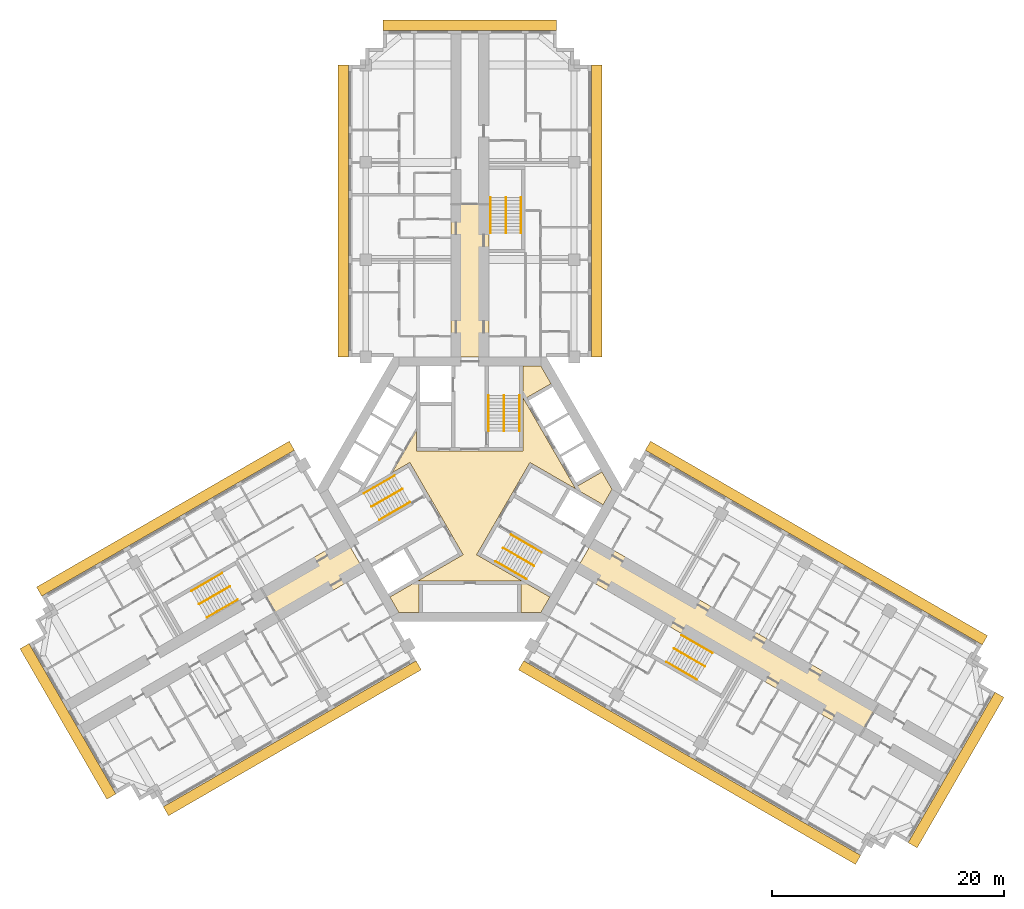
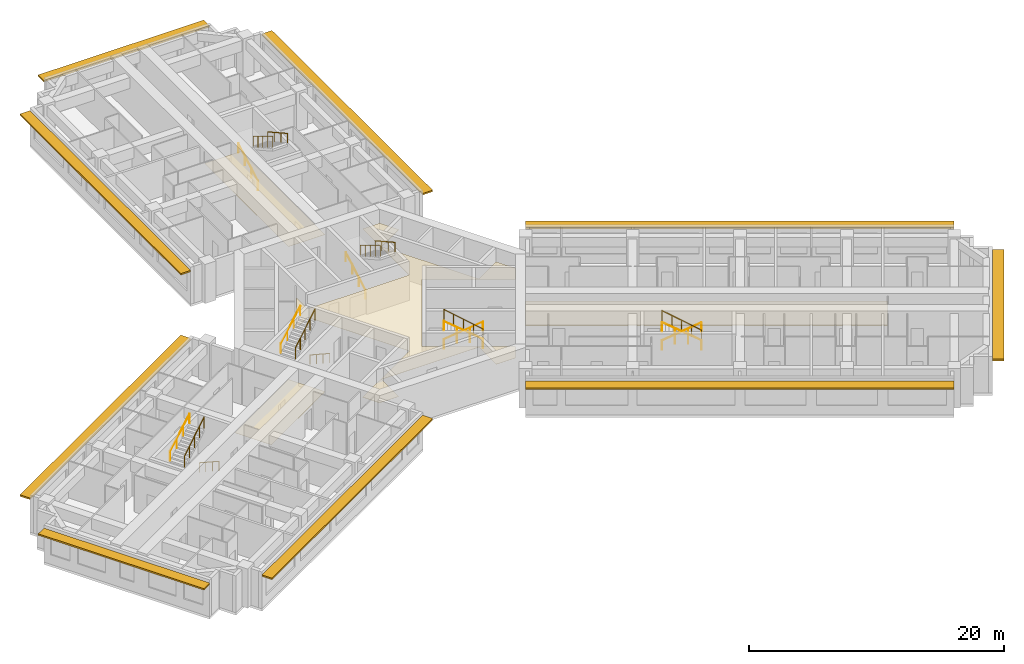
# One storey, part 13 of 13: 18 railings, 4 coverings, 3 shading devices.
"""IFC4 building model written with IfcOpenShell, lengths in metres."""

import ifcopenshell
import ifcopenshell.guid

model = None  # the IFC model being written
_history = None  # IfcOwnerHistory: only IFC2X3 demands one
_inside = {}  # id of a spatial element -> (the spatial element, [elements in it])
_under = {}  # id of a project, library or spatial element -> (it, [spatial elements below it])
_declared = {}  # id of a project -> (the project, [libraries it declares])
_typed = {}  # id of a type object -> (the type object, [elements of that type])
_made_of = {}  # id of a material, layer set ... -> (it, [elements and type objects made of it])


def new_model(schema):
    """Start an empty IFC model of exactly this schema.

    Asked for "IFC4X3", IfcOpenShell would pick the latest addendum, in which some entities
    have other attributes; the version numbers below select the first issue.
    IFC2X3 requires an IfcOwnerHistory on every rooted entity: one is made here for all.
    """
    global model, _history
    if schema == "IFC4X3":
        model = ifcopenshell.file(schema_version=(4, 3, 0, 0))
    else:
        model = ifcopenshell.file(schema=schema)
    _inside.clear()
    _under.clear()
    _declared.clear()
    _typed.clear()
    _made_of.clear()
    _history = None
    if model.schema == "IFC2X3":
        org = make("IfcOrganization", Name="unknown")
        user = make(
            "IfcPersonAndOrganization",
            ThePerson=make("IfcPerson", FamilyName="unknown"),
            TheOrganization=org,
        )
        app = make(
            "IfcApplication",
            ApplicationDeveloper=org,
            Version="unknown",
            ApplicationFullName="unknown",
            ApplicationIdentifier="unknown",
        )
        _history = make(
            "IfcOwnerHistory",
            OwningUser=user,
            OwningApplication=app,
            ChangeAction="ADDED",
            CreationDate=0,
        )
    return model


def make(cls, **values):
    """One entity of the class cls with the attributes given. An attribute that is None is left unset."""
    return model.create_entity(
        cls, **{name: value for name, value in values.items() if value is not None}
    )


def rooted(cls, **values):
    """An entity with a GlobalId (a new one), such as an element, a storey or a relation."""
    return make(cls, GlobalId=ifcopenshell.guid.new(), OwnerHistory=_history, **values)


def si_unit(unit_type, name, prefix=None):
    """IfcSIUnit, for example si_unit("LENGTHUNIT", "METRE", prefix="MILLI")."""
    return make("IfcSIUnit", UnitType=unit_type, Prefix=prefix, Name=name)


def assignment(units):
    """IfcUnitAssignment: the units of a project."""
    return None if units is None else make("IfcUnitAssignment", Units=units)


def point(xyz):
    """IfcCartesianPoint."""
    return None if xyz is None else make("IfcCartesianPoint", Coordinates=xyz)


def direction(xyz):
    """IfcDirection."""
    return None if xyz is None else make("IfcDirection", DirectionRatios=xyz)


def frame(location, z_axis=None, x_axis=None):
    """IfcAxis2Placement3D, a coordinate frame: its origin and axes. An axis left out is left unset."""
    return make(
        "IfcAxis2Placement3D",
        Location=point(location),
        Axis=direction(z_axis),
        RefDirection=direction(x_axis),
    )


def frame_2d(location, x_axis=None):
    """IfcAxis2Placement2D, a coordinate frame in the plane: its origin and x axis."""
    return make(
        "IfcAxis2Placement2D", Location=point(location), RefDirection=direction(x_axis)
    )


def origin():
    """The frame at (0, 0, 0) with its axes left unset."""
    return frame((0.0, 0.0, 0.0))


def origin_2d():
    """The frame at (0, 0) in the plane with its x axis left unset."""
    return frame_2d((0.0, 0.0))


def place(relative_to, where):
    """IfcLocalPlacement: puts the frame where relative to a parent placement (None: the world)."""
    return make(
        "IfcLocalPlacement", PlacementRelTo=relative_to, RelativePlacement=where
    )


def context(
    kind, dimensions, precision=None, world=None, true_north=None, identifier=None
):
    """IfcGeometricRepresentationContext, for example the 3D "Model" context."""
    return make(
        "IfcGeometricRepresentationContext",
        ContextIdentifier=identifier,
        ContextType=kind,
        CoordinateSpaceDimension=dimensions,
        Precision=precision,
        WorldCoordinateSystem=world,
        TrueNorth=true_north,
    )


def subcontext(parent, identifier, kind, view, scale=None):
    """IfcGeometricRepresentationSubContext, for example "Body" below "Model"."""
    return make(
        "IfcGeometricRepresentationSubContext",
        ContextIdentifier=identifier,
        ContextType=kind,
        ParentContext=parent,
        TargetScale=scale,
        TargetView=view,
    )


def project(units=None, contexts=None):
    """IfcProject with its units and contexts."""
    return rooted(
        "IfcProject",
        Name="project",
        RepresentationContexts=contexts,
        UnitsInContext=assignment(units),
    )


def spatial(cls, under=None, at=None, **own):
    """A site, building, storey or space (cls), placed at a placement, below another one or the project."""
    s = rooted(cls, ObjectPlacement=at, **own)
    if under is not None:
        _under.setdefault(under.id(), (under, []))[1].append(s)
    return s


def polyline(points):
    """IfcPolyline through the points."""
    return make("IfcPolyline", Points=[point(p) for p in points])


def profile(cls, at=None, kind="AREA", **sizes):
    """A parametric profile (cls). Its sizes go by their IFC names, for example OverallWidth=200.0."""
    return make(cls, ProfileType=kind, Position=at, **sizes)


def rectangle(**sizes):
    """IfcRectangleProfileDef."""
    return profile("IfcRectangleProfileDef", **sizes)


def circle(**sizes):
    """IfcCircleProfileDef."""
    return profile("IfcCircleProfileDef", **sizes)


def outline(outer, holes=None, kind="AREA"):
    """IfcArbitraryClosedProfileDef: a profile drawn as a closed curve; with holes, ...WithVoids."""
    if holes is None:
        return make("IfcArbitraryClosedProfileDef", ProfileType=kind, OuterCurve=outer)
    return make(
        "IfcArbitraryProfileDefWithVoids",
        ProfileType=kind,
        OuterCurve=outer,
        InnerCurves=holes,
    )


def extrude(swept, where, along, depth):
    """IfcExtrudedAreaSolid: the profile swept, set in the frame where, extruded along a direction by depth."""
    return make(
        "IfcExtrudedAreaSolid",
        SweptArea=swept,
        Position=where,
        ExtrudedDirection=direction(along),
        Depth=depth,
    )


def shape(context_of_items, identifier, shape_type, items):
    """IfcShapeRepresentation: the items that make up one representation, for example the "Body"."""
    return make(
        "IfcShapeRepresentation",
        ContextOfItems=context_of_items,
        RepresentationIdentifier=identifier,
        RepresentationType=shape_type,
        Items=items,
    )


def material(Name=None, Category=None):
    """IfcMaterial."""
    return make("IfcMaterial", Name=Name, Category=Category)


def layer(
    of_material, thickness, ventilated=None, Name=None, Category=None, Priority=None
):
    """IfcMaterialLayer: one layer of a wall or slab, of a material (None: an air gap)."""
    return make(
        "IfcMaterialLayer",
        Material=of_material,
        LayerThickness=thickness,
        IsVentilated=ventilated,
        Name=Name,
        Category=Category,
        Priority=Priority,
    )


def layer_set(layers, Name=None):
    """IfcMaterialLayerSet."""
    return make("IfcMaterialLayerSet", MaterialLayers=layers, LayerSetName=Name)


def made_of(thing, what):
    """Note that an element or type object is made of a material, layer set ...; save() writes the relation."""
    if what is not None:
        _made_of.setdefault(what.id(), (what, []))[1].append(thing)
    return thing


def type_object(cls, material=None, **own):
    """A type object (cls), such as IfcWallType, which elements share."""
    return made_of(rooted(cls, **own), material)


def element(
    cls,
    number,
    at=None,
    inside=None,
    cuts=None,
    type_object=None,
    material=None,
    context=None,
    identifier="Body",
    shape_type=None,
    held_by="IfcProductDefinitionShape",
    body=None,
    shapes=None,
    **own,
):
    """One element of the class cls, such as IfcWall. Its Tag is "e" and its number.

    at: its placement. inside: the storey or other place that contains it. cuts: it is an
    opening in that element (IfcRelVoidsElement). A single representation is given by context,
    identifier, shape_type and body (its items); several are given by shapes. held_by: the class
    of the entity that holds the representations. save() writes the other relations.
    """
    e = rooted(cls, Tag="e%d" % number, ObjectPlacement=at, **own)
    if body is not None:
        shapes = [shape(context, identifier, shape_type, body)]
    if shapes is not None:
        e.Representation = make(held_by, Representations=shapes)
    if inside is not None:
        _inside.setdefault(inside.id(), (inside, []))[1].append(e)
    if cuts is not None:
        rooted(
            "IfcRelVoidsElement", RelatingBuildingElement=cuts, RelatedOpeningElement=e
        )
    if type_object is not None:
        _typed.setdefault(type_object.id(), (type_object, []))[1].append(e)
    return made_of(e, material)


def aggregate(whole, parts):
    """IfcRelAggregates: a whole, such as a stair, and the parts it consists of."""
    return rooted("IfcRelAggregates", RelatingObject=whole, RelatedObjects=parts)


def save(model, path):
    """Write the relations noted so far, then the file.

    IfcRelAggregates (storeys below a building ...), IfcRelContainedInSpatialStructure (elements
    in a storey), IfcRelDefinesByType, IfcRelAssociatesMaterial and IfcRelDeclares: one each for
    every whole, place, type object, material and project.
    """
    for whole, parts in _under.values():
        aggregate(whole, parts)
    for where, things in _inside.values():
        rooted(
            "IfcRelContainedInSpatialStructure",
            RelatedElements=things,
            RelatingStructure=where,
        )
    for kind, things in _typed.values():
        rooted("IfcRelDefinesByType", RelatedObjects=things, RelatingType=kind)
    for what, things in _made_of.values():
        rooted("IfcRelAssociatesMaterial", RelatedObjects=things, RelatingMaterial=what)
    for by, libraries in _declared.values():
        rooted("IfcRelDeclares", RelatingContext=by, RelatedDefinitions=libraries)
    model.write(path)


model = new_model("IFC4")

# Units and contexts
model_context = context("Model", 3, precision=1e-05, world=origin(), true_north=direction((0.0, 1.0)))
body_context = subcontext(model_context, "Body", "Model", "MODEL_VIEW")
ifc_project = project(units=[si_unit("LENGTHUNIT", "METRE"), si_unit("AREAUNIT", "SQUARE_METRE"), si_unit("VOLUMEUNIT", "CUBIC_METRE"), si_unit("PLANEANGLEUNIT", "RADIAN"), si_unit("MASSUNIT", "GRAM", prefix="KILO")], contexts=[model_context])

# Site, building, storey
site_placement = place(None, origin())
site = spatial("IfcSite", under=ifc_project, at=site_placement, CompositionType="ELEMENT")
building_placement = place(site_placement, origin())
building = spatial("IfcBuilding", under=site, at=building_placement, Name="Impinga Residences", CompositionType="ELEMENT")
storey_placement = place(building_placement, frame((0.0, 0.0, 136.0)))
storey = spatial("IfcBuildingStorey", under=building, at=storey_placement, Name="L33", CompositionType="ELEMENT", Elevation=136.0)

# Coverings
ifc_material_1 = material(Name="Plasterboard 15 mm on steel hangers", Category="steel")
ifc_layer_1 = layer(ifc_material_1, 0.014892578125)
ifc_layer_set_1 = layer_set([ifc_layer_1], Name="Plasterboard 15 mm on steel hangers")
covering_type_1 = type_object("IfcCoveringType", Name="CL1 corridor ceiling, 15 mm plasterboard on hangers", PredefinedType="CEILING", material=ifc_layer_set_1)
covering_1_placement = place(storey_placement, frame((0.0, 0.0, 2.39990234375)))
element("IfcCovering", 1, at=covering_1_placement, inside=storey, type_object=covering_type_1, Name="Corridor ceiling CL1 L33-N00", PredefinedType="CEILING", context=body_context, shape_type="SweptSolid", body=[
    extrude(outline(polyline([(-1.64990234375, 11.431640625), (1.64990234375, 11.431640625), (1.64990234375, 24.58154296875), (-1.64990234375, 24.58154296875), (-1.64990234375, 11.431640625)])), origin(), (0.0, 0.0, 1.0), 0.01513671875),
])
covering_2_placement = place(storey_placement, frame((0.0, 0.0, 2.39990234375)))
element("IfcCovering", 2, at=covering_2_placement, inside=storey, type_object=covering_type_1, Name="Corridor ceiling CL1 L33-W00", PredefinedType="CEILING", context=body_context, shape_type="SweptSolid", body=[
    extrude(outline(polyline([(-10.72509765625, -4.286865234375), (-9.074951171875, -7.144775390625), (-16.35009765625, -11.344970703125), (-18.0, -8.487060546875), (-10.72509765625, -4.286865234375)])), origin(), (0.0, 0.0, 1.0), 0.01513671875),
])
covering_3_placement = place(storey_placement, frame((0.0, 0.0, 2.39990234375)))
element("IfcCovering", 3, at=covering_3_placement, inside=storey, type_object=covering_type_1, Name="Corridor ceiling CL1 L33-E00", PredefinedType="CEILING", context=body_context, shape_type="SweptSolid", body=[
    extrude(outline(polyline([(10.72509765625, -4.286865234375), (9.074951171875, -7.144775390625), (33.626708984375, -21.31982421875), (35.27685546875, -18.4619140625), (10.72509765625, -4.286865234375)])), origin(), (0.0, 0.0, 1.0), 0.01513671875),
])
ifc_material_2 = material(Name="Mineral fibre tiles 20 mm on exposed grid", Category="mineral fibre")
ifc_layer_2 = layer(ifc_material_2, 0.02001953125)
ifc_layer_set_2 = layer_set([ifc_layer_2], Name="CL2 lift lobby ceiling, 20 mm mineral fibre tiles")
covering_type_2 = type_object("IfcCoveringType", Name="CL2 lift lobby ceiling, 20 mm mineral fibre tiles", PredefinedType="CEILING", material=ifc_layer_set_2)
covering_4_placement = place(storey_placement, frame((0.0, 0.0, 2.39990234375)))
element("IfcCovering", 4, at=covering_4_placement, inside=storey, type_object=covering_type_2, Name="Lift lobby ceiling CL2 L33-C01", PredefinedType="CEILING", context=body_context, shape_type="SweptSolid", body=[
    extrude(outline(polyline([(5.183837890625, 2.318603515625), (0.583984375, -5.648681640625), (6.9072265625, -9.299560546875), (6.13818359375, -10.631591796875), (4.39990234375, -10.631591796875), (4.39990234375, -7.931640625), (-4.39990234375, -7.931640625), (-4.39990234375, -10.631591796875), (-6.13818359375, -10.631591796875), (-6.9072265625, -9.299560546875), (-0.583984375, -5.648681640625), (-5.183837890625, 2.318603515625), (-6.712890625, 1.435791015625), (-4.60009765625, 5.095703125), (-4.60009765625, 3.330078125), (4.60009765625, 3.330078125), (4.60009765625, 10.631591796875), (6.13818359375, 10.631591796875), (7.007080078125, 9.126220703125), (4.6689453125, 7.7763671875), (9.06884765625, 0.1552734375), (11.4072265625, 1.50537109375), (12.276123046875, 0.0), (11.507080078125, -1.33203125), (5.183837890625, 2.318603515625)])), origin(), (0.0, 0.0, 1.0), 0.02001953125),
])

# Railings
ifc_material_3 = material(Name="Steel guard, powder coated", Category="steel")
railing_type_1 = type_object("IfcRailingType", Name="GR1 stair guard 1100", PredefinedType="GUARDRAIL", material=ifc_material_3)
railing_1_placement = place(storey_placement, frame((2.949951171875, 8.110107421875, 1.875)))
element("IfcRailing", 5, at=railing_1_placement, inside=storey, type_object=railing_type_1, Name="Stair guard GR1 ST1 L33", PredefinedType="GUARDRAIL", context=body_context, shape_type="SweptSolid", body=[
    extrude(circle(Radius=0.02392578125, at=origin_2d()), frame((0.0, 0.0, 1.076171875), z_axis=(0.0, -0.854177636135, 0.519981313056), x_axis=(1.0, 0.0, 0.0)), (0.0, 0.0, 1.0), 3.60595703125),
    extrude(circle(Radius=0.02099609375, at=origin_2d()), origin(), (0.0, 0.0, 1.0), 1.052001953125),
    extrude(circle(Radius=0.02099609375, at=origin_2d()), frame((0.0, -0.77001953125, 0.46875)), (0.0, 0.0, 1.0), 1.052001953125),
    extrude(circle(Radius=0.02099609375, at=origin_2d()), frame((0.0, -1.5400390625, 0.9375)), (0.0, 0.0, 1.0), 1.052001953125),
    extrude(circle(Radius=0.02099609375, at=origin_2d()), frame((0.0, -2.31005859375, 1.40625)), (0.0, 0.0, 1.0), 1.052001953125),
    extrude(circle(Radius=0.02099609375, at=origin_2d()), frame((0.0, -3.080078125, 1.875)), (0.0, 0.0, 1.0), 1.052001953125),
])
railing_2_placement = place(storey_placement, frame((-8.49853515625, -1.500244140625, 1.875)))
element("IfcRailing", 6, at=railing_2_placement, inside=storey, type_object=railing_type_1, Name="Stair guard GR1 ST2 L33", PredefinedType="GUARDRAIL", context=body_context, shape_type="SweptSolid", body=[
    extrude(circle(Radius=0.02392578125, at=origin_2d()), frame((0.0, 0.0, 1.076171875), z_axis=(0.739746383972, 0.427084037168, 0.519975492303), x_axis=(-0.499992328818, 0.866029832698, 0.0)), (0.0, 0.0, 1.0), 3.60595703125),
    extrude(circle(Radius=0.02099609375, at=origin_2d()), origin(), (0.0, 0.0, 1.0), 1.052001953125),
    extrude(circle(Radius=0.02099609375, at=origin_2d()), frame((0.6669921875, 0.385009765625, 0.46875)), (0.0, 0.0, 1.0), 1.052001953125),
    extrude(circle(Radius=0.02099609375, at=origin_2d()), frame((1.333740234375, 0.77001953125, 0.9375)), (0.0, 0.0, 1.0), 1.052001953125),
    extrude(circle(Radius=0.02099609375, at=origin_2d()), frame((2.00048828125, 1.155029296875, 1.40625)), (0.0, 0.0, 1.0), 1.052001953125),
    extrude(circle(Radius=0.02099609375, at=origin_2d()), frame((2.66748046875, 1.5400390625, 1.875)), (0.0, 0.0, 1.0), 1.052001953125),
])
railing_3_placement = place(storey_placement, frame((5.548583984375, -6.60986328125, 1.875)))
element("IfcRailing", 7, at=railing_3_placement, inside=storey, type_object=railing_type_1, Name="Stair guard GR1 ST3 L33", PredefinedType="GUARDRAIL", context=body_context, shape_type="SweptSolid", body=[
    extrude(circle(Radius=0.02392578125, at=origin_2d()), frame((0.0, 0.0, 1.076171875), z_axis=(-0.739746383972, 0.427084037168, 0.519975492303), x_axis=(-0.499992328818, -0.866029832698, 0.0)), (0.0, 0.0, 1.0), 3.60595703125),
    extrude(circle(Radius=0.02099609375, at=origin_2d()), origin(), (0.0, 0.0, 1.0), 1.052001953125),
    extrude(circle(Radius=0.02099609375, at=origin_2d()), frame((-0.6669921875, 0.385009765625, 0.46875)), (0.0, 0.0, 1.0), 1.052001953125),
    extrude(circle(Radius=0.02099609375, at=origin_2d()), frame((-1.333740234375, 0.77001953125, 0.9375)), (0.0, 0.0, 1.0), 1.052001953125),
    extrude(circle(Radius=0.02099609375, at=origin_2d()), frame((-2.00048828125, 1.155029296875, 1.40625)), (0.0, 0.0, 1.0), 1.052001953125),
    extrude(circle(Radius=0.02099609375, at=origin_2d()), frame((-2.66748046875, 1.5400390625, 1.875)), (0.0, 0.0, 1.0), 1.052001953125),
])
railing_4_placement = place(storey_placement, frame((3.10009765625, 25.21142578125, 1.875)))
element("IfcRailing", 8, at=railing_4_placement, inside=storey, type_object=railing_type_1, Name="Stair guard GR1 WS1 L33", PredefinedType="GUARDRAIL", context=body_context, shape_type="SweptSolid", body=[
    extrude(circle(Radius=0.02392578125, at=origin_2d()), frame((0.0, 0.0, 1.076171875), z_axis=(0.0, -0.854159328187, 0.520011386482), x_axis=(1.0, 0.0, 0.0)), (0.0, 0.0, 1.0), 3.605712890625),
    extrude(circle(Radius=0.02099609375, at=origin_2d()), origin(), (0.0, 0.0, 1.0), 1.052001953125),
    extrude(circle(Radius=0.02099609375, at=origin_2d()), frame((0.0, -0.77001953125, 0.46875)), (0.0, 0.0, 1.0), 1.052001953125),
    extrude(circle(Radius=0.02099609375, at=origin_2d()), frame((0.0, -1.5400390625, 0.9375)), (0.0, 0.0, 1.0), 1.052001953125),
    extrude(circle(Radius=0.02099609375, at=origin_2d()), frame((0.0, -2.309814453125, 1.40625)), (0.0, 0.0, 1.0), 1.052001953125),
    extrude(circle(Radius=0.02099609375, at=origin_2d()), frame((0.0, -3.079833984375, 1.875)), (0.0, 0.0, 1.0), 1.052001953125),
])
railing_5_placement = place(storey_placement, frame((-23.3837890625, -9.921142578125, 1.875)))
element("IfcRailing", 9, at=railing_5_placement, inside=storey, type_object=railing_type_1, Name="Stair guard GR1 WS2 L33", PredefinedType="GUARDRAIL", context=body_context, shape_type="SweptSolid", body=[
    extrude(circle(Radius=0.02392578125, at=origin_2d()), frame((0.0, 0.0, 1.076171875), z_axis=(0.739715726454, 0.427105428144, 0.52000153585), x_axis=(-0.500026652407, 0.866010015463, 0.0)), (0.0, 0.0, 1.0), 3.605712890625),
    extrude(circle(Radius=0.02099609375, at=origin_2d()), origin(), (0.0, 0.0, 1.0), 1.052001953125),
    extrude(circle(Radius=0.02099609375, at=origin_2d()), frame((0.666748046875, 0.385009765625, 0.46875)), (0.0, 0.0, 1.0), 1.052001953125),
    extrude(circle(Radius=0.02099609375, at=origin_2d()), frame((1.33349609375, 0.77001953125, 0.9375)), (0.0, 0.0, 1.0), 1.052001953125),
    extrude(circle(Radius=0.02099609375, at=origin_2d()), frame((2.00048828125, 1.155029296875, 1.40625)), (0.0, 0.0, 1.0), 1.052001953125),
    extrude(circle(Radius=0.02099609375, at=origin_2d()), frame((2.667236328125, 1.5400390625, 1.875)), (0.0, 0.0, 1.0), 1.052001953125),
])
railing_6_placement = place(storey_placement, frame((20.283935546875, -15.29052734375, 1.875)))
element("IfcRailing", 10, at=railing_6_placement, inside=storey, type_object=railing_type_1, Name="Stair guard GR1 WS3 L33", PredefinedType="GUARDRAIL", context=body_context, shape_type="SweptSolid", body=[
    extrude(circle(Radius=0.02392578125, at=origin_2d()), frame((0.0, 0.0, 1.076171875), z_axis=(-0.739746383972, 0.427084037168, 0.519975492303), x_axis=(-0.499992328818, -0.866029832698, 0.0)), (0.0, 0.0, 1.0), 3.60595703125),
    extrude(circle(Radius=0.02099609375, at=origin_2d()), origin(), (0.0, 0.0, 1.0), 1.052001953125),
    extrude(circle(Radius=0.02099609375, at=origin_2d()), frame((-0.6669921875, 0.385009765625, 0.46875)), (0.0, 0.0, 1.0), 1.052001953125),
    extrude(circle(Radius=0.02099609375, at=origin_2d()), frame((-1.333740234375, 0.77001953125, 0.9375)), (0.0, 0.0, 1.0), 1.052001953125),
    extrude(circle(Radius=0.02099609375, at=origin_2d()), frame((-2.00048828125, 1.155029296875, 1.40625)), (0.0, 0.0, 1.0), 1.052001953125),
    extrude(circle(Radius=0.02099609375, at=origin_2d()), frame((-2.66748046875, 1.5400390625, 1.875)), (0.0, 0.0, 1.0), 1.052001953125),
])
ifc_material_4 = material(Name="Steel handrail tube 42 mm, powder coated", Category="steel")
railing_type_2 = type_object("IfcRailingType", Name="HR1 stair handrail, 42 mm steel tube, 900 above the pitch line", PredefinedType="HANDRAIL", material=ifc_material_4)
railing_7_placement = place(storey_placement, frame((1.62109375, 5.030029296875, 0.15625)))
element("IfcRailing", 11, at=railing_7_placement, inside=storey, type_object=railing_type_2, Name="Stair handrail HR1 ST1 L33", PredefinedType="HANDRAIL", context=body_context, shape_type="SweptSolid", body=[
    extrude(circle(Radius=0.02099609375, at=origin_2d()), frame((0.0, 0.0, 0.87890625), z_axis=(0.0, 0.873241540666, 0.487287606713), x_axis=(-1.0, 0.0, 0.0)), (0.0, 0.0, 1.0), 3.527099609375),
    extrude(circle(Radius=0.012451171875, at=origin_2d()), origin(), (0.0, 0.0, 1.0), 0.85791015625),
    extrude(circle(Radius=0.012451171875, at=origin_2d()), frame((0.0, 1.026611328125, 0.572998046875)), (0.0, 0.0, 1.0), 0.85791015625),
    extrude(circle(Radius=0.012451171875, at=origin_2d()), frame((0.0, 2.053466796875, 1.145751953125)), (0.0, 0.0, 1.0), 0.85791015625),
    extrude(circle(Radius=0.012451171875, at=origin_2d()), frame((0.0, 3.080078125, 1.71875)), (0.0, 0.0, 1.0), 0.85791015625),
])
railing_8_placement = place(storey_placement, frame((4.279052734375, 8.110107421875, 2.03125)))
element("IfcRailing", 12, at=railing_8_placement, inside=storey, type_object=railing_type_2, Name="Stair handrail HR1 ST1 L33", PredefinedType="HANDRAIL", context=body_context, shape_type="SweptSolid", body=[
    extrude(circle(Radius=0.02099609375, at=origin_2d()), frame((0.0, 0.0, 0.87890625), z_axis=(0.0, -0.873241540666, 0.487287606713), x_axis=(1.0, 0.0, 0.0)), (0.0, 0.0, 1.0), 3.527099609375),
    extrude(circle(Radius=0.012451171875, at=origin_2d()), origin(), (0.0, 0.0, 1.0), 0.85791015625),
    extrude(circle(Radius=0.012451171875, at=origin_2d()), frame((0.0, -1.026611328125, 0.572998046875)), (0.0, 0.0, 1.0), 0.85791015625),
    extrude(circle(Radius=0.012451171875, at=origin_2d()), frame((0.0, -2.053466796875, 1.145751953125)), (0.0, 0.0, 1.0), 0.85791015625),
    extrude(circle(Radius=0.012451171875, at=origin_2d()), frame((0.0, -3.080078125, 1.71875)), (0.0, 0.0, 1.0), 0.85791015625),
])
railing_9_placement = place(storey_placement, frame((-5.16650390625, -1.111083984375, 0.15625)))
element("IfcRailing", 13, at=railing_9_placement, inside=storey, type_object=railing_type_2, Name="Stair handrail HR1 ST2 L33", PredefinedType="HANDRAIL", context=body_context, shape_type="SweptSolid", body=[
    extrude(circle(Radius=0.02099609375, at=origin_2d()), frame((0.0, 0.0, 0.87890625), z_axis=(-0.756255980417, -0.436615662133, 0.487281905742), x_axis=(0.499992328818, -0.866029832698, 0.0)), (0.0, 0.0, 1.0), 3.527099609375),
    extrude(circle(Radius=0.012451171875, at=origin_2d()), origin(), (0.0, 0.0, 1.0), 0.85791015625),
    extrude(circle(Radius=0.012451171875, at=origin_2d()), frame((-0.88916015625, -0.513427734375, 0.572998046875)), (0.0, 0.0, 1.0), 0.85791015625),
    extrude(circle(Radius=0.012451171875, at=origin_2d()), frame((-1.7783203125, -1.026611328125, 1.145751953125)), (0.0, 0.0, 1.0), 0.85791015625),
    extrude(circle(Radius=0.012451171875, at=origin_2d()), frame((-2.66748046875, -1.5400390625, 1.71875)), (0.0, 0.0, 1.0), 0.85791015625),
])
railing_10_placement = place(storey_placement, frame((-9.1630859375, -0.349365234375, 2.03125)))
element("IfcRailing", 14, at=railing_10_placement, inside=storey, type_object=railing_type_2, Name="Stair handrail HR1 ST2 L33", PredefinedType="HANDRAIL", context=body_context, shape_type="SweptSolid", body=[
    extrude(circle(Radius=0.02099609375, at=origin_2d()), frame((0.0, 0.0, 0.87890625), z_axis=(0.756255980417, 0.436615662133, 0.487281905742), x_axis=(-0.499992328818, 0.866029832698, 0.0)), (0.0, 0.0, 1.0), 3.527099609375),
    extrude(circle(Radius=0.012451171875, at=origin_2d()), origin(), (0.0, 0.0, 1.0), 0.85791015625),
    extrude(circle(Radius=0.012451171875, at=origin_2d()), frame((0.88916015625, 0.513427734375, 0.572998046875)), (0.0, 0.0, 1.0), 0.85791015625),
    extrude(circle(Radius=0.012451171875, at=origin_2d()), frame((1.7783203125, 1.026611328125, 1.145751953125)), (0.0, 0.0, 1.0), 0.85791015625),
    extrude(circle(Radius=0.012451171875, at=origin_2d()), frame((2.66748046875, 1.5400390625, 1.71875)), (0.0, 0.0, 1.0), 0.85791015625),
])
railing_11_placement = place(storey_placement, frame((3.545654296875, -3.9189453125, 0.15625)))
element("IfcRailing", 15, at=railing_11_placement, inside=storey, type_object=railing_type_2, Name="Stair handrail HR1 ST3 L33", PredefinedType="HANDRAIL", context=body_context, shape_type="SweptSolid", body=[
    extrude(circle(Radius=0.02099609375, at=origin_2d()), frame((0.0, 0.0, 0.87890625), z_axis=(0.756249203677, -0.436582492228, 0.487322141317), x_axis=(0.499967199496, 0.866044340336, 0.0)), (0.0, 0.0, 1.0), 3.52685546875),
    extrude(circle(Radius=0.012451171875, at=origin_2d()), origin(), (0.0, 0.0, 1.0), 0.85791015625),
    extrude(circle(Radius=0.012451171875, at=origin_2d()), frame((0.88916015625, -0.51318359375, 0.572998046875)), (0.0, 0.0, 1.0), 0.85791015625),
    extrude(circle(Radius=0.012451171875, at=origin_2d()), frame((1.778076171875, -1.026611328125, 1.145751953125)), (0.0, 0.0, 1.0), 0.85791015625),
    extrude(circle(Radius=0.012451171875, at=origin_2d()), frame((2.667236328125, -1.539794921875, 1.71875)), (0.0, 0.0, 1.0), 0.85791015625),
])
railing_12_placement = place(storey_placement, frame((4.884033203125, -7.7607421875, 2.03125)))
element("IfcRailing", 16, at=railing_12_placement, inside=storey, type_object=railing_type_2, Name="Stair handrail HR1 ST3 L33", PredefinedType="HANDRAIL", context=body_context, shape_type="SweptSolid", body=[
    extrude(circle(Radius=0.02099609375, at=origin_2d()), frame((0.0, 0.0, 0.87890625), z_axis=(-0.756255980417, 0.436615662133, 0.487281905742), x_axis=(-0.499992328818, -0.866029832698, 0.0)), (0.0, 0.0, 1.0), 3.527099609375),
    extrude(circle(Radius=0.012451171875, at=origin_2d()), origin(), (0.0, 0.0, 1.0), 0.85791015625),
    extrude(circle(Radius=0.012451171875, at=origin_2d()), frame((-0.88916015625, 0.513427734375, 0.572998046875)), (0.0, 0.0, 1.0), 0.85791015625),
    extrude(circle(Radius=0.012451171875, at=origin_2d()), frame((-1.7783203125, 1.026611328125, 1.145751953125)), (0.0, 0.0, 1.0), 0.85791015625),
    extrude(circle(Radius=0.012451171875, at=origin_2d()), frame((-2.66748046875, 1.5400390625, 1.71875)), (0.0, 0.0, 1.0), 0.85791015625),
])
railing_13_placement = place(storey_placement, frame((1.77099609375, 22.131591796875, 0.15625)))
element("IfcRailing", 17, at=railing_13_placement, inside=storey, type_object=railing_type_2, Name="Stair handrail HR1 WS1 L33", PredefinedType="HANDRAIL", context=body_context, shape_type="SweptSolid", body=[
    extrude(circle(Radius=0.02099609375, at=origin_2d()), frame((0.0, 0.0, 0.87890625), z_axis=(0.0, 0.873225103656, 0.487317061414), x_axis=(-1.0, 0.0, 0.0)), (0.0, 0.0, 1.0), 3.52685546875),
    extrude(circle(Radius=0.012451171875, at=origin_2d()), origin(), (0.0, 0.0, 1.0), 0.85791015625),
    extrude(circle(Radius=0.012451171875, at=origin_2d()), frame((0.0, 1.026611328125, 0.572998046875)), (0.0, 0.0, 1.0), 0.85791015625),
    extrude(circle(Radius=0.012451171875, at=origin_2d()), frame((0.0, 2.05322265625, 1.145751953125)), (0.0, 0.0, 1.0), 0.85791015625),
    extrude(circle(Radius=0.012451171875, at=origin_2d()), frame((0.0, 3.079833984375, 1.71875)), (0.0, 0.0, 1.0), 0.85791015625),
])
railing_14_placement = place(storey_placement, frame((4.428955078125, 25.21142578125, 2.03125)))
element("IfcRailing", 18, at=railing_14_placement, inside=storey, type_object=railing_type_2, Name="Stair handrail HR1 WS1 L33", PredefinedType="HANDRAIL", context=body_context, shape_type="SweptSolid", body=[
    extrude(circle(Radius=0.02099609375, at=origin_2d()), frame((0.0, 0.0, 0.87890625), z_axis=(0.0, -0.873225103656, 0.487317061414), x_axis=(1.0, 0.0, 0.0)), (0.0, 0.0, 1.0), 3.52685546875),
    extrude(circle(Radius=0.012451171875, at=origin_2d()), origin(), (0.0, 0.0, 1.0), 0.85791015625),
    extrude(circle(Radius=0.012451171875, at=origin_2d()), frame((0.0, -1.026611328125, 0.572998046875)), (0.0, 0.0, 1.0), 0.85791015625),
    extrude(circle(Radius=0.012451171875, at=origin_2d()), frame((0.0, -2.05322265625, 1.145751953125)), (0.0, 0.0, 1.0), 0.85791015625),
    extrude(circle(Radius=0.012451171875, at=origin_2d()), frame((0.0, -3.079833984375, 1.71875)), (0.0, 0.0, 1.0), 0.85791015625),
])
railing_15_placement = place(storey_placement, frame((-20.052001953125, -9.531982421875, 0.15625)))
element("IfcRailing", 19, at=railing_15_placement, inside=storey, type_object=railing_type_2, Name="Stair handrail HR1 WS2 L33", PredefinedType="HANDRAIL", context=body_context, shape_type="SweptSolid", body=[
    extrude(circle(Radius=0.02099609375, at=origin_2d()), frame((0.0, 0.0, 0.87890625), z_axis=(-0.756226348243, -0.436638517594, 0.487307413422), x_axis=(0.500026652407, -0.866010015463, 0.0)), (0.0, 0.0, 1.0), 3.527099609375),
    extrude(circle(Radius=0.012451171875, at=origin_2d()), origin(), (0.0, 0.0, 1.0), 0.85791015625),
    extrude(circle(Radius=0.012451171875, at=origin_2d()), frame((-0.88916015625, -0.513427734375, 0.572998046875)), (0.0, 0.0, 1.0), 0.85791015625),
    extrude(circle(Radius=0.012451171875, at=origin_2d()), frame((-1.778076171875, -1.026611328125, 1.145751953125)), (0.0, 0.0, 1.0), 0.85791015625),
    extrude(circle(Radius=0.012451171875, at=origin_2d()), frame((-2.667236328125, -1.5400390625, 1.71875)), (0.0, 0.0, 1.0), 0.85791015625),
])
railing_16_placement = place(storey_placement, frame((-24.04833984375, -8.77001953125, 2.03125)))
element("IfcRailing", 20, at=railing_16_placement, inside=storey, type_object=railing_type_2, Name="Stair handrail HR1 WS2 L33", PredefinedType="HANDRAIL", context=body_context, shape_type="SweptSolid", body=[
    extrude(circle(Radius=0.02099609375, at=origin_2d()), frame((0.0, 0.0, 0.87890625), z_axis=(0.756278834354, 0.436559638319, 0.487296631324), x_axis=(-0.499932877268, 0.866064153644, 0.0)), (0.0, 0.0, 1.0), 3.527099609375),
    extrude(circle(Radius=0.012451171875, at=origin_2d()), origin(), (0.0, 0.0, 1.0), 0.85791015625),
    extrude(circle(Radius=0.012451171875, at=origin_2d()), frame((0.88916015625, 0.51318359375, 0.572998046875)), (0.0, 0.0, 1.0), 0.85791015625),
    extrude(circle(Radius=0.012451171875, at=origin_2d()), frame((1.7783203125, 1.026611328125, 1.145751953125)), (0.0, 0.0, 1.0), 0.85791015625),
    extrude(circle(Radius=0.012451171875, at=origin_2d()), frame((2.66748046875, 1.539794921875, 1.71875)), (0.0, 0.0, 1.0), 0.85791015625),
])
railing_17_placement = place(storey_placement, frame((18.281005859375, -12.599609375, 0.15625)))
element("IfcRailing", 21, at=railing_17_placement, inside=storey, type_object=railing_type_2, Name="Stair handrail HR1 WS3 L33", PredefinedType="HANDRAIL", context=body_context, shape_type="SweptSolid", body=[
    extrude(circle(Radius=0.02099609375, at=origin_2d()), frame((0.0, 0.0, 0.87890625), z_axis=(0.756249203677, -0.436582492228, 0.487322141317), x_axis=(0.499967199496, 0.866044340336, 0.0)), (0.0, 0.0, 1.0), 3.52685546875),
    extrude(circle(Radius=0.012451171875, at=origin_2d()), origin(), (0.0, 0.0, 1.0), 0.85791015625),
    extrude(circle(Radius=0.012451171875, at=origin_2d()), frame((0.88916015625, -0.51318359375, 0.572998046875)), (0.0, 0.0, 1.0), 0.85791015625),
    extrude(circle(Radius=0.012451171875, at=origin_2d()), frame((1.778076171875, -1.026611328125, 1.145751953125)), (0.0, 0.0, 1.0), 0.85791015625),
    extrude(circle(Radius=0.012451171875, at=origin_2d()), frame((2.667236328125, -1.539794921875, 1.71875)), (0.0, 0.0, 1.0), 0.85791015625),
])
railing_18_placement = place(storey_placement, frame((19.619384765625, -16.44140625, 2.03125)))
element("IfcRailing", 22, at=railing_18_placement, inside=storey, type_object=railing_type_2, Name="Stair handrail HR1 WS3 L33", PredefinedType="HANDRAIL", context=body_context, shape_type="SweptSolid", body=[
    extrude(circle(Radius=0.02099609375, at=origin_2d()), frame((0.0, 0.0, 0.87890625), z_axis=(-0.756255980417, 0.436615662133, 0.487281905742), x_axis=(-0.499992328818, -0.866029832698, 0.0)), (0.0, 0.0, 1.0), 3.527099609375),
    extrude(circle(Radius=0.012451171875, at=origin_2d()), origin(), (0.0, 0.0, 1.0), 0.85791015625),
    extrude(circle(Radius=0.012451171875, at=origin_2d()), frame((-0.88916015625, 0.513427734375, 0.572998046875)), (0.0, 0.0, 1.0), 0.85791015625),
    extrude(circle(Radius=0.012451171875, at=origin_2d()), frame((-1.7783203125, 1.026611328125, 1.145751953125)), (0.0, 0.0, 1.0), 0.85791015625),
    extrude(circle(Radius=0.012451171875, at=origin_2d()), frame((-2.66748046875, 1.5400390625, 1.71875)), (0.0, 0.0, 1.0), 0.85791015625),
])

# Shading devices
ifc_material_5 = material(Name="Terracotta sunshade blades on aluminium brackets", Category="masonry")
ifc_layer_3 = layer(ifc_material_5, 0.14990234375)
ifc_layer_set_3 = layer_set([ifc_layer_3], Name="SS1 SUNSHADE terracotta sunshade band 900")
shading_device_type = type_object("IfcShadingDeviceType", Name="SS1 SUNSHADE terracotta sunshade band 900", PredefinedType="USERDEFINED", material=ifc_layer_set_3)
shading_device_1_placement = place(storey_placement, frame((-10.949951171875, 24.031494140625, 3.10009765625), z_axis=(0.0, 0.0, 1.0), x_axis=(0.0, 1.0, 0.0)))
element("IfcShadingDevice", 23, at=shading_device_1_placement, inside=storey, type_object=shading_device_type, Name="SUNSHADE band L33 NORTH WING", ObjectType="SUNSHADE", PredefinedType="USERDEFINED", context=body_context, shape_type="SweptSolid", body=[
    extrude(rectangle(XDim=25.199951171875, YDim=0.89990234375, at=origin_2d()), origin(), (0.0, 0.0, 1.0), 0.14990234375),
    extrude(rectangle(XDim=15.0, YDim=0.89990234375, at=origin_2d()), frame((16.050048828125, -10.949951171875, 0.0), z_axis=(0.0, 0.0, 1.0), x_axis=(0.0, -1.0, 0.0)), (0.0, 0.0, 1.0), 0.14990234375),
    extrude(rectangle(XDim=25.199951171875, YDim=0.89990234375, at=origin_2d()), frame((0.0, -21.89990234375, 0.0), z_axis=(0.0, 0.0, 1.0), x_axis=(-1.0, 0.0, 0.0)), (0.0, 0.0, 1.0), 0.14990234375),
])
shading_device_2_placement = place(storey_placement, frame((-15.3369140625, -21.498779296875, 3.10009765625), z_axis=(0.0, 0.0, 1.0), x_axis=(-0.866025403784, -0.5, 0.0)))
element("IfcShadingDevice", 24, at=shading_device_2_placement, inside=storey, type_object=shading_device_type, Name="SUNSHADE band L33 WEST WING", ObjectType="SUNSHADE", PredefinedType="USERDEFINED", context=body_context, shape_type="SweptSolid", body=[
    extrude(rectangle(XDim=25.199951171875, YDim=0.89990234375, at=origin_2d()), origin(), (0.0, 0.0, 1.0), 0.14990234375),
    extrude(rectangle(XDim=15.0, YDim=0.89990234375, at=origin_2d()), frame((16.050048828125, -10.949951171875, 0.0), z_axis=(0.0, 0.0, 1.0), x_axis=(0.0, -1.0, 0.0)), (0.0, 0.0, 1.0), 0.14990234375),
    extrude(rectangle(XDim=25.199951171875, YDim=0.89990234375, at=origin_2d()), frame((0.0, -21.900146484375, 0.0), z_axis=(0.0, 0.0, 1.0), x_axis=(-1.0, 0.0, 0.0)), (0.0, 0.0, 1.0), 0.14990234375),
])
shading_device_3_placement = place(storey_placement, frame((41.986328125, -24.24072265625, 3.10009765625), z_axis=(0.0, 0.0, 1.0), x_axis=(-0.5, -0.866025403784, 0.0)))
element("IfcShadingDevice", 25, at=shading_device_3_placement, inside=storey, type_object=shading_device_type, Name="SUNSHADE band L33 EAST WING", ObjectType="SUNSHADE", PredefinedType="USERDEFINED", context=body_context, shape_type="SweptSolid", body=[
    extrude(rectangle(XDim=15.0, YDim=0.89990234375, at=origin_2d()), origin(), (0.0, 0.0, 1.0), 0.14990234375),
    extrude(rectangle(XDim=33.60009765625, YDim=0.89990234375, at=origin_2d()), frame((10.949951171875, -20.250244140625, 0.0), z_axis=(0.0, 0.0, 1.0), x_axis=(0.0, -1.0, 0.0)), (0.0, 0.0, 1.0), 0.14990234375),
    extrude(rectangle(XDim=33.60009765625, YDim=0.89990234375, at=origin_2d()), frame((-10.949951171875, -20.25, 0.0), z_axis=(0.0, 0.0, 1.0), x_axis=(0.0, 1.0, 0.0)), (0.0, 0.0, 1.0), 0.14990234375),
])

save(model, "model.ifc")
